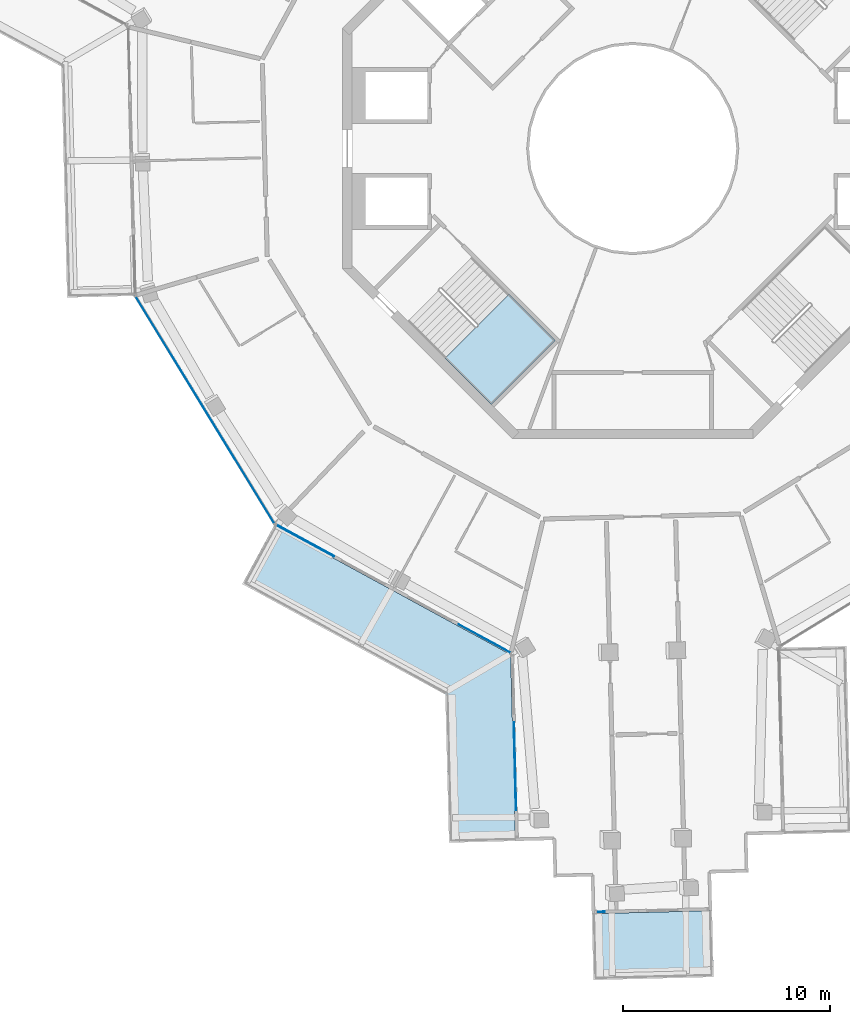
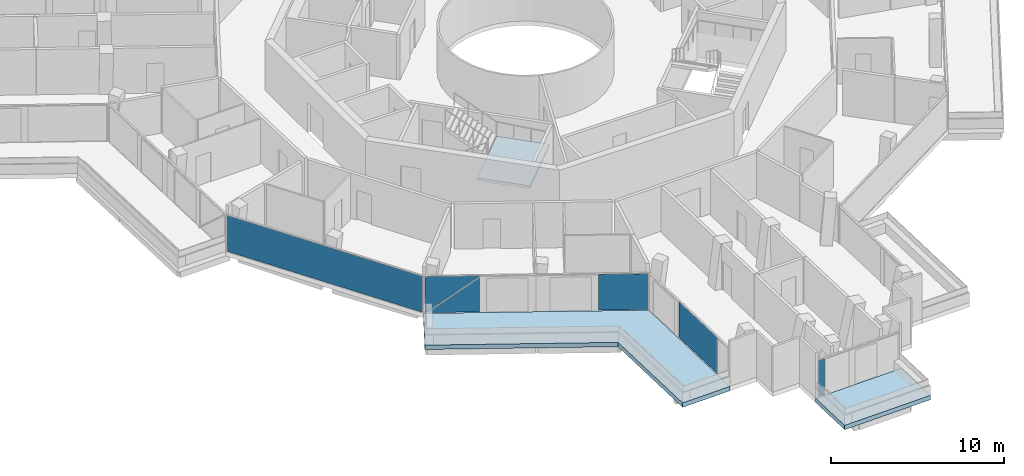
# One storey, part 12 of 26: 6 plates, 3 slabs, 5 elements without a shape of their own.
"""IFC4 building model written with IfcOpenShell, lengths in metres."""

from ifc_helpers import new_model, si_unit, direction, frame, origin, origin_2d, place, context, subcontext, project, spatial, polyline, rectangle, outline, extrude, material, layer, layer_set, type_object, element, aggregate, save


model = new_model("IFC4")

# Units and contexts
model_context = context("Model", 3, precision=1e-05, world=origin(), true_north=direction((0.0, 1.0)))
body_context = subcontext(model_context, "Body", "Model", "MODEL_VIEW")
ifc_project = project(units=[si_unit("LENGTHUNIT", "METRE"), si_unit("AREAUNIT", "SQUARE_METRE"), si_unit("VOLUMEUNIT", "CUBIC_METRE"), si_unit("PLANEANGLEUNIT", "RADIAN"), si_unit("MASSUNIT", "GRAM", prefix="KILO")], contexts=[model_context])

# Site, building, storey
site_placement = place(None, origin())
site = spatial("IfcSite", under=ifc_project, at=site_placement, CompositionType="ELEMENT")
building_placement = place(site_placement, origin())
building = spatial("IfcBuilding", under=site, at=building_placement, Name="Verdalira Terraces Hotel", CompositionType="ELEMENT")
storey_placement = place(building_placement, frame((0.0, 0.0, 284.5)))
storey = spatial("IfcBuildingStorey", under=building, at=storey_placement, Name="L70", CompositionType="ELEMENT", Elevation=284.5)

# Slabs
ifc_material_1 = material(Name="Precast concrete C40/50", Category="concrete")
ifc_layer_1 = layer(ifc_material_1, 0.31005859375)
ifc_layer_set_1 = layer_set([ifc_layer_1], Name="Balcony deck 310")
slab_type_1 = type_object("IfcSlabType", Name="Balcony deck 310", PredefinedType="FLOOR", material=ifc_layer_set_1)
slab_1_placement = place(storey_placement, frame((0.0, 0.0, -0.310059)))
element("IfcSlab", 1, at=slab_1_placement, inside=storey, type_object=slab_type_1, Name="Balcony deck", PredefinedType="FLOOR", context=body_context, shape_type="SweptSolid", body=[
    extrude(outline(polyline([(-9.041016, -26.341309), (-8.861328, -33.487305), (-5.662354, -33.406982), (-5.888428, -24.414062), (-17.306396, -18.198975), (-18.836426, -21.009521), (-9.041016, -26.341309)])), origin(), (0.0, 0.0, 1.0), 0.310059),
])
slab_2_placement = place(storey_placement, frame((0.0, 0.0, -0.310059)))
element("IfcSlab", 2, at=slab_2_placement, inside=storey, type_object=slab_type_1, Name="Balcony deck", PredefinedType="FLOOR", context=body_context, shape_type="SweptSolid", body=[
    extrude(outline(polyline([(3.905762, -39.968506), (3.825195, -36.769531), (-1.9729, -36.915283), (-1.892578, -40.114258), (3.905762, -39.968506)])), origin(), (0.0, 0.0, 1.0), 0.310059),
])

# Curtain wall, plate
ifc_material_2 = material(Name="Clear glass", Category="glass")
ifc_layer_2 = layer(ifc_material_2, 0.14990234375)
ifc_layer_set_2 = layer_set([ifc_layer_2], Name="CW1 curtain wall")
curtain_wall_type_1 = type_object("IfcCurtainWallType", Name="CW1 curtain wall", PredefinedType="NOTDEFINED", material=ifc_layer_set_2)
curtain_wall_1_placement = place(storey_placement, origin())
curtain_wall_1 = element("IfcCurtainWall", 3, at=curtain_wall_1_placement, inside=storey, type_object=curtain_wall_type_1, Name="CW1 curtain wall L70 edge 12", PredefinedType="NOTDEFINED")
ifc_material_3 = material(Name="Clear glass", Category="glass")
ifc_layer_3 = layer(ifc_material_3, 0.028076171875)
ifc_layer_set_3 = layer_set([ifc_layer_3], Name="CW1 glass unit 28")
plate_type_1 = type_object("IfcPlateType", Name="CW1 glass unit 28", PredefinedType="CURTAIN_PANEL", material=ifc_layer_set_3)
plate_1_placement = place(storey_placement, frame((-20.632812, -12.614258, 0.0), z_axis=(0.0, 0.0, 1.0), x_axis=(0.521605396, -0.853186856, 0.0)))
plate_1 = element("IfcPlate", 4, at=plate_1_placement, type_object=plate_type_1, Name="CW1 glass unit", PredefinedType="CURTAIN_PANEL", context=body_context, shape_type="SweptSolid", body=[
    extrude(rectangle(XDim=12.799561, YDim=0.028076, at=origin_2d()), origin(), (0.0, 0.0, 1.0), 2.524902),
])
aggregate(curtain_wall_1, [plate_1])

# Curtain wall, plates
curtain_wall_2_placement = place(storey_placement, origin())
curtain_wall_2 = element("IfcCurtainWall", 5, at=curtain_wall_2_placement, inside=storey, type_object=curtain_wall_type_1, Name="CW1 curtain wall L70 edge 13", PredefinedType="NOTDEFINED")
plate_2_placement = place(storey_placement, frame((-15.792725, -18.921387, 1.262451), z_axis=(-0.478078794, -0.878316951, 0.0), x_axis=(0.878316951, -0.478078794, 0.0)))
plate_2 = element("IfcPlate", 6, at=plate_2_placement, type_object=plate_type_1, Name="CW1 glass unit", PredefinedType="CURTAIN_PANEL", context=body_context, shape_type="SweptSolid", body=[
    extrude(outline(polyline([(-1.574951, -1.262451), (1.574951, -1.262451), (1.574951, 1.262451), (-1.574951, -1.262451)])), origin(), (0.0, 0.0, 1.0), 0.028076),
])
plate_3_placement = place(storey_placement, frame((-15.778809, -18.895996, 1.262451), z_axis=(-0.478078794, -0.878316951, 0.0), x_axis=(0.878316951, -0.478078794, 0.0)))
plate_3 = element("IfcPlate", 7, at=plate_3_placement, type_object=plate_type_1, Name="CW1 glass unit", PredefinedType="CURTAIN_PANEL", context=body_context, shape_type="SweptSolid", body=[
    extrude(outline(polyline([(-1.574951, -1.262451), (1.574951, 1.262451), (-1.574951, 1.262451), (-1.574951, -1.262451)])), origin(), (0.0, 0.0, 1.0), 0.028076),
])
plate_4_placement = place(storey_placement, frame((-7.147461, -23.643311, 0.0), z_axis=(0.0, 0.0, 1.0), x_axis=(0.878316951, -0.478078794, 0.0)))
plate_4 = element("IfcPlate", 8, at=plate_4_placement, type_object=plate_type_1, Name="CW1 glass unit", PredefinedType="CURTAIN_PANEL", context=body_context, shape_type="SweptSolid", body=[
    extrude(rectangle(XDim=2.828613, YDim=0.028076, at=origin_2d()), origin(), (0.0, 0.0, 1.0), 2.524902),
])
aggregate(curtain_wall_2, [plate_2, plate_3, plate_4])

# Curtain wall, plate
ifc_material_4 = material(Name="Clear glass", Category="glass")
ifc_layer_4 = layer(ifc_material_4, 0.14990234375)
ifc_layer_set_4 = layer_set([ifc_layer_4], Name="CW2 curtain wall")
curtain_wall_type_2 = type_object("IfcCurtainWallType", Name="CW2 curtain wall", PredefinedType="NOTDEFINED", material=ifc_layer_set_4)
curtain_wall_3_placement = place(storey_placement, origin())
curtain_wall_3 = element("IfcCurtainWall", 9, at=curtain_wall_3_placement, inside=storey, type_object=curtain_wall_type_2, Name="CW2 curtain wall L70 edge 14", PredefinedType="NOTDEFINED")
ifc_material_5 = material(Name="Clear glass", Category="glass")
ifc_layer_5 = layer(ifc_material_5, 0.031982421875)
ifc_layer_set_5 = layer_set([ifc_layer_5], Name="CW2 glass unit 32")
plate_type_2 = type_object("IfcPlateType", Name="CW2 glass unit 32", PredefinedType="CURTAIN_PANEL", material=ifc_layer_set_5)
plate_5_placement = place(storey_placement, frame((-5.677979, -29.79834, 0.0), z_axis=(0.0, 0.0, 1.0), x_axis=(0.025130095, -0.999684189, 0.0)))
plate_5 = element("IfcPlate", 10, at=plate_5_placement, type_object=plate_type_2, Name="CW2 glass unit", PredefinedType="CURTAIN_PANEL", context=body_context, shape_type="SweptSolid", body=[
    extrude(rectangle(XDim=4.23584, YDim=0.031982, at=origin_2d()), origin(), (0.0, 0.0, 1.0), 2.524902),
])
aggregate(curtain_wall_3, [plate_5])

ifc_material_6 = material(Name="Clear glass", Category="glass")
ifc_layer_6 = layer(ifc_material_6, 0.14990234375)
ifc_layer_set_6 = layer_set([ifc_layer_6], Name="CW3 curtain wall")
curtain_wall_type_3 = type_object("IfcCurtainWallType", Name="CW3 curtain wall", PredefinedType="NOTDEFINED", material=ifc_layer_set_6)
curtain_wall_4_placement = place(storey_placement, origin())
curtain_wall_4 = element("IfcCurtainWall", 11, at=curtain_wall_4_placement, inside=storey, type_object=curtain_wall_type_3, Name="CW3 curtain wall L70 edge 19", PredefinedType="NOTDEFINED")
ifc_material_7 = material(Name="Clear glass", Category="glass")
ifc_layer_7 = layer(ifc_material_7, 0.035888671875)
ifc_layer_set_7 = layer_set([ifc_layer_7], Name="CW3 glass unit 36")
plate_type_3 = type_object("IfcPlateType", Name="CW3 glass unit 36", PredefinedType="CURTAIN_PANEL", material=ifc_layer_set_7)
plate_6_placement = place(storey_placement, frame((-1.544922, -36.82959, 0.0), z_axis=(0.0, 0.0, 1.0), x_axis=(0.999684189, 0.025130095, 0.0)))
plate_6 = element("IfcPlate", 12, at=plate_6_placement, type_object=plate_type_3, Name="CW3 glass unit", PredefinedType="CURTAIN_PANEL", context=body_context, shape_type="SweptSolid", body=[
    extrude(rectangle(XDim=0.399902, YDim=0.035889, at=origin_2d()), origin(), (0.0, 0.0, 1.0), 2.524902),
])
aggregate(curtain_wall_4, [plate_6])

# Stair, slab
ifc_material_8 = material(Name="Concrete C40", Category="concrete")
stair_type = type_object("IfcStairType", Name="Core stair 20 risers 2125 mm wide", PredefinedType="HALF_TURN_STAIR", material=ifc_material_8)
stair_placement = place(storey_placement, origin())
stair = element("IfcStair", 13, at=stair_placement, inside=storey, type_object=stair_type, Name="L70 Exit stair ST2", PredefinedType="HALF_TURN_STAIR")
ifc_material_9 = material(Name="Concrete C40", Category="concrete")
ifc_layer_8 = layer(ifc_material_9, 0.199951171875)
ifc_layer_set_8 = layer_set([ifc_layer_8], Name="Core stair landing 200 mm")
slab_type_2 = type_object("IfcSlabType", Name="Core stair landing 200 mm", PredefinedType="LANDING", material=ifc_layer_set_8)
slab_3_placement = place(storey_placement, frame((0.0, 0.0, 1.550049)))
slab_3 = element("IfcSlab", 14, at=slab_3_placement, type_object=slab_type_2, Name="ST2 landing 1", PredefinedType="LANDING", context=body_context, shape_type="SweptSolid", body=[
    extrude(outline(polyline([(-9.054932, -10.107666), (-6.823486, -12.339111), (-3.747559, -9.263184), (-5.979004, -7.031738), (-9.054932, -10.107666)])), origin(), (0.0, 0.0, 1.0), 0.199951),
])
aggregate(stair, [slab_3])

save(model, "model.ifc")
